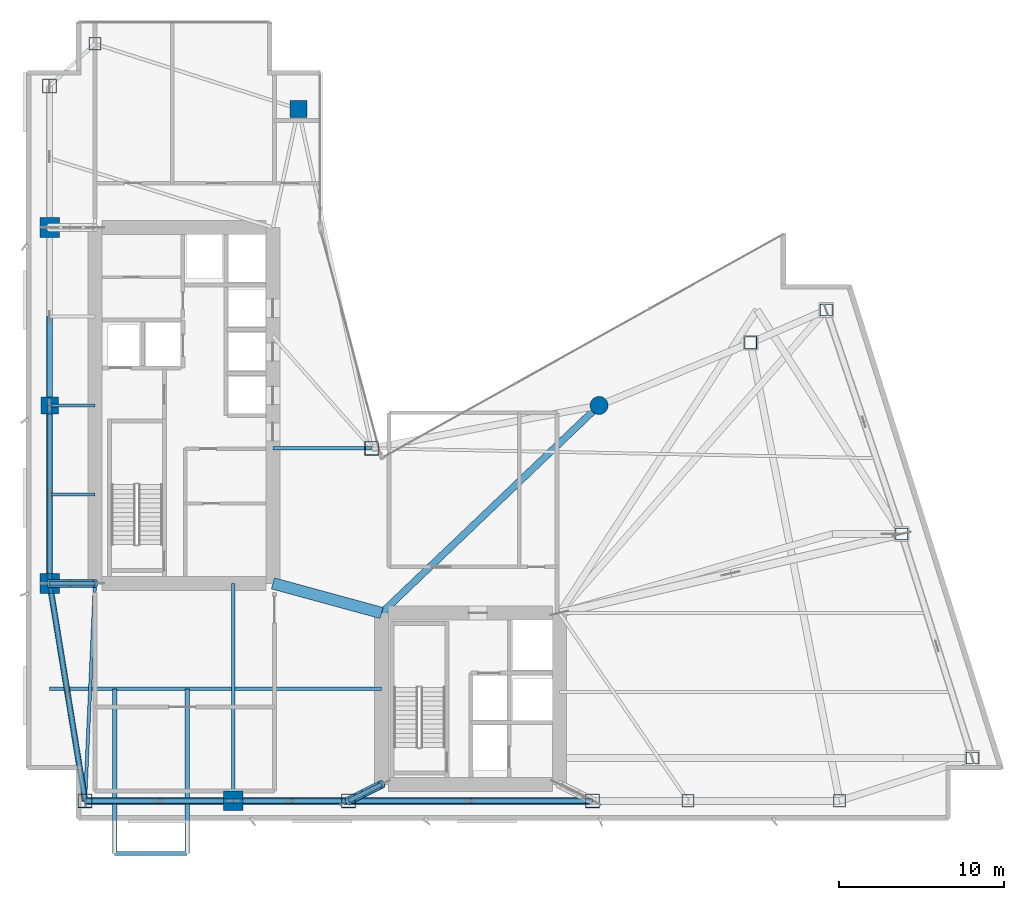
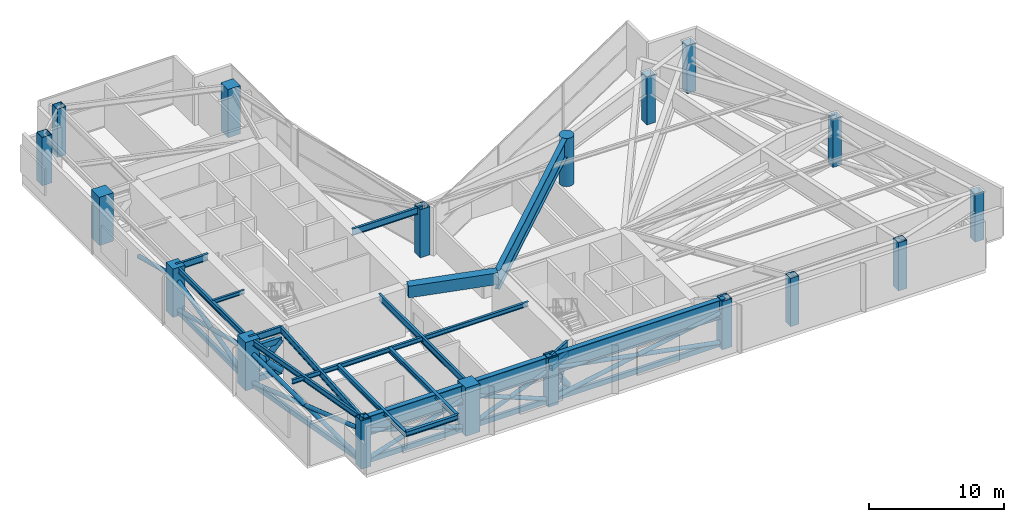
# One storey, part 1 of 17: 31 members, 18 beams, 18 columns.
"""IFC4 building model written with IfcOpenShell, lengths in metres."""

from ifc_helpers import new_model, si_unit, direction, frame, origin, origin_2d, place, context, subcontext, project, spatial, rectangle, hollow_rectangle, circle, hollow_circle, i_section, extrude, material, material_profile, profile_set, type_object, element, save


model = new_model("IFC4")

# Units and contexts
model_context = context("Model", 3, precision=1e-05, world=origin(), true_north=direction((0.0, 1.0)))
body_context = subcontext(model_context, "Body", "Model", "MODEL_VIEW")
ifc_project = project(units=[si_unit("LENGTHUNIT", "METRE"), si_unit("AREAUNIT", "SQUARE_METRE"), si_unit("VOLUMEUNIT", "CUBIC_METRE"), si_unit("PLANEANGLEUNIT", "RADIAN"), si_unit("MASSUNIT", "GRAM", prefix="KILO")], contexts=[model_context])

# Site, building, storey
site_placement = place(None, origin())
site = spatial("IfcSite", under=ifc_project, at=site_placement, CompositionType="ELEMENT")
building_placement = place(site_placement, origin())
building = spatial("IfcBuilding", under=site, at=building_placement, Name="Calvorn Quay Hotel", CompositionType="ELEMENT")
storey_placement = place(building_placement, frame((0.0, 0.0, 186.5)))
storey = spatial("IfcBuildingStorey", under=building, at=storey_placement, Name="L46", CompositionType="ELEMENT", Elevation=186.5)

# Columns
ifc_material_1 = material(Name="Concrete C50", Category="concrete")
ifc_material_profile_1 = material_profile(ifc_material_1, rectangle(XDim=1.050048828125, YDim=1.050048828125, at=origin_2d()), Name="RC1050x1050")
ifc_profile_set_1 = profile_set([ifc_material_profile_1], Name="Concrete C50")
column_type_1 = type_object("IfcColumnType", Name="COL-RC-1050", PredefinedType="COLUMN", material=ifc_profile_set_1)
for number, where, z_axis, x_axis, name in (
    (1, (1.449951171875, 27.60009765625, 0.0), (0.0, 0.0, 1.0), (1.0, 0.0, 0.0), "Column C-W3 (L46)"),
    (2, (16.550048828125, 45.60009765625, 0.0), (0.0, 0.0, 1.0), (1.0, 0.0, 0.0), "Column C-IC1 (L46)"),
):
    element("IfcColumn", number, at=place(storey_placement, frame(where, z_axis=z_axis, x_axis=x_axis)), inside=storey, type_object=column_type_1, Name=name, PredefinedType="COLUMN", context=body_context, shape_type="SweptSolid", body=[
        extrude(rectangle(XDim=1.050048828125, YDim=1.050048828125, at=origin_2d()), origin(), (0.0, 0.0, 1.0), 4.35009765625),
    ])
ifc_material_2 = material(Name="Concrete C50", Category="concrete")
ifc_material_profile_2 = material_profile(ifc_material_2, rectangle(XDim=1.199951171875, YDim=1.199951171875, at=origin_2d()), Name="RC1200x1200")
ifc_profile_set_2 = profile_set([ifc_material_profile_2], Name="Concrete C50")
column_type_2 = type_object("IfcColumnType", Name="COL-RC-1200", PredefinedType="COLUMN", material=ifc_profile_set_2)
for number, where, z_axis, x_axis, name in (
    (3, (1.449951171875, 16.800048828125, 0.0), (0.0, 0.0, 1.0), (1.0, 0.0, 0.0), "Column C-W2 (L46)"),
    (4, (1.449951171875, 38.39990234375, 0.0), (0.0, 0.0, 1.0), (1.0, 0.0, 0.0), "Column C-W4 (L46)"),
    (5, (12.60009765625, 3.60009765625, 0.0), (0.0, 0.0, 1.0), (1.0, 0.0, 0.0), "Column C-S1 (L46)"),
):
    element("IfcColumn", number, at=place(storey_placement, frame(where, z_axis=z_axis, x_axis=x_axis)), inside=storey, type_object=column_type_2, Name=name, PredefinedType="COLUMN", context=body_context, shape_type="SweptSolid", body=[
        extrude(rectangle(XDim=1.199951171875, YDim=1.199951171875, at=origin_2d()), origin(), (0.0, 0.0, 1.0), 4.35009765625),
    ])
ifc_material_3 = material(Name="Concrete C50", Category="concrete")
ifc_material_profile_3 = material_profile(ifc_material_3, circle(Radius=0.550048828125, at=origin_2d()), Name="RCD1100")
ifc_profile_set_3 = profile_set([ifc_material_profile_3], Name="Concrete C50")
column_type_3 = type_object("IfcColumnType", Name="COL-RC-D1100", PredefinedType="COLUMN", material=ifc_profile_set_3)
column_placement = place(storey_placement, frame((34.800048828125, 27.60009765625, 0.0), z_axis=(0.0, 0.0, 1.0), x_axis=(1.0, 0.0, 0.0)))
element("IfcColumn", 6, at=column_placement, inside=storey, type_object=column_type_3, Name="Column C-NC1 (L46)", PredefinedType="COLUMN", context=body_context, shape_type="SweptSolid", body=[
    extrude(circle(Radius=0.550048828125, at=origin_2d()), origin(), (0.0, 0.0, 1.0), 4.35009765625),
])
ifc_material_4 = material(Name="Steel Q390GJC", Category="steel")
ifc_material_profile_4 = material_profile(ifc_material_4, hollow_rectangle(XDim=0.85009765625, YDim=0.85009765625, WallThickness=0.035888671875, at=origin_2d()), Name="BOX850x850x36")
ifc_profile_set_4 = profile_set([ifc_material_profile_4], Name="Steel Q390GJC")
column_type_4 = type_object("IfcColumnType", Name="COL-STL-Z2", PredefinedType="COLUMN", material=ifc_profile_set_4)
for number, where, z_axis, x_axis, name in (
    (7, (3.60009765625, 3.60009765625, 0.0), (0.0, 0.0, 1.0), (1.0, 0.0, 0.0), "Column C-W1 (L46)"),
    (8, (1.449951171875, 47.0, 0.0), (0.0, 0.0, 1.0), (1.0, 0.0, 0.0), "Column C-W5 (L46)"),
    (9, (21.0, 25.0, 0.0), (0.0, 0.0, 1.0), (1.0, 0.0, 0.0), "Column C-IC2 (L46)"),
    (10, (19.60009765625, 3.60009765625, 0.0), (0.0, 0.0, 1.0), (1.0, 0.0, 0.0), "Column C-S2 (L46)"),
    (11, (34.39990234375, 3.60009765625, 0.0), (0.0, 0.0, 1.0), (1.0, 0.0, 0.0), "Column C-S3 (L46)"),
):
    element("IfcColumn", number, at=place(storey_placement, frame(where, z_axis=z_axis, x_axis=x_axis)), inside=storey, type_object=column_type_4, Name=name, PredefinedType="COLUMN", context=body_context, shape_type="SweptSolid", body=[
        extrude(hollow_rectangle(XDim=0.85009765625, YDim=0.85009765625, WallThickness=0.035888671875, at=origin_2d()), origin(), (0.0, 0.0, 1.0), 4.35009765625),
    ])
ifc_material_5 = material(Name="Steel Q390GJC", Category="steel")
ifc_material_profile_5 = material_profile(ifc_material_5, hollow_rectangle(XDim=0.75, YDim=0.75, WallThickness=0.031982421875, at=origin_2d()), Name="BOX750x750x32")
ifc_profile_set_5 = profile_set([ifc_material_profile_5], Name="Steel Q390GJC")
column_type_5 = type_object("IfcColumnType", Name="COL-STL-Z3", PredefinedType="COLUMN", material=ifc_profile_set_5)
for number, where, z_axis, x_axis, name in (
    (12, (4.199951171875, 49.550048828125, 0.0), (0.0, 0.0, 1.0), (1.0, 0.0, 0.0), "Column C-NW1 (L46)"),
    (13, (40.199951171875, 3.60009765625, 0.0), (0.0, 0.0, 1.0), (1.0, 0.0, 0.0), "Column C-S4 (L46)"),
    (14, (49.39990234375, 3.60009765625, 0.0), (0.0, 0.0, 1.0), (1.0, 0.0, 0.0), "Column C-S5 (L46)"),
    (15, (44.0, 31.39990234375, 0.0), (0.0, 0.0, 1.0), (1.0, 0.0, 0.0), "Column C-NC2 (L46)"),
    (16, (57.4609375, 6.199951171875, 0.0), (0.0, 0.0, 1.0), (1.0, 0.0, 0.0), "Column C-ET1 (L46)"),
    (17, (53.176025390625, 19.800048828125, 0.0), (0.0, 0.0, 1.0), (1.0, 0.0, 0.0), "Column C-ET2 (L46)"),
    (18, (48.591064453125, 33.39990234375, 0.0), (0.0, 0.0, 1.0), (1.0, 0.0, 0.0), "Column C-ET3 (L46)"),
):
    element("IfcColumn", number, at=place(storey_placement, frame(where, z_axis=z_axis, x_axis=x_axis)), inside=storey, type_object=column_type_5, Name=name, PredefinedType="COLUMN", context=body_context, shape_type="SweptSolid", body=[
        extrude(hollow_rectangle(XDim=0.75, YDim=0.75, WallThickness=0.031982421875, at=origin_2d()), origin(), (0.0, 0.0, 1.0), 4.35009765625),
    ])

# Beams
ifc_material_6 = material(Name="Steel Q355B", Category="steel")
ifc_material_profile_6 = material_profile(ifc_material_6, i_section(OverallWidth=0.25, OverallDepth=0.449951171875, WebThickness=0.011962890625, FlangeThickness=0.01611328125, FilletRadius=0.01611328125, at=origin_2d()), Name="HN450x250x12x16")
ifc_profile_set_6 = profile_set([ifc_material_profile_6], Name="Steel Q355B")
beam_type_1 = type_object("IfcBeamType", Name="BM-CANT-BALC", PredefinedType="BEAM", material=ifc_profile_set_6)
for number, where, z_axis, x_axis, name in (
    (19, (5.39990234375, 10.39990234375, 4.125), (0.0, -1.0, 0.0), (1.0, 0.0, 0.0), "Cantilever Balcony Beam BCB-L47-1A"),
    (20, (9.800048828125, 10.39990234375, 4.125), (0.0, -1.0, 0.0), (1.0, 0.0, 0.0), "Cantilever Balcony Beam BCB-L47-1B"),
):
    element("IfcBeam", number, at=place(storey_placement, frame(where, z_axis=z_axis, x_axis=x_axis)), inside=storey, type_object=beam_type_1, Name=name, PredefinedType="BEAM", context=body_context, shape_type="SweptSolid", body=[
        extrude(i_section(OverallWidth=0.25, OverallDepth=0.449951171875, WebThickness=0.011962890625, FlangeThickness=0.01611328125, FilletRadius=0.01611328125, at=origin_2d()), origin(), (0.0, 0.0, 1.0), 9.989990234375),
    ])
beam_1_placement = place(storey_placement, frame((5.39990234375, 0.409912109375, 4.125), z_axis=(1.0, 0.0, 0.0), x_axis=(0.0, 1.0, 0.0)))
element("IfcBeam", 21, at=beam_1_placement, inside=storey, type_object=beam_type_1, Name="Beam BCBO-L47-1", PredefinedType="BEAM", context=body_context, shape_type="SweptSolid", body=[
    extrude(i_section(OverallWidth=0.25, OverallDepth=0.449951171875, WebThickness=0.011962890625, FlangeThickness=0.01611328125, FilletRadius=0.01611328125, at=origin_2d()), origin(), (0.0, 0.0, 1.0), 4.400146484375),
])
ifc_material_7 = material(Name="Steel Q355B", Category="steel")
ifc_material_profile_7 = material_profile(ifc_material_7, i_section(OverallWidth=0.199951171875, OverallDepth=0.60009765625, WebThickness=0.010986328125, FlangeThickness=0.01708984375, FilletRadius=0.01806640625, at=origin_2d()), Name="HN600x200x11x17")
ifc_profile_set_7 = profile_set([ifc_material_profile_7], Name="Steel Q355B")
beam_type_2 = type_object("IfcBeamType", Name="BM-GIRD-TYP", PredefinedType="BEAM", material=ifc_profile_set_7)
beam_2_placement = place(storey_placement, frame((3.60009765625, 3.60009765625, 4.050048828125), z_axis=(0.045396765494, 0.998969035397, 0.0), x_axis=(-0.998969035397, 0.045396765494, 0.0)))
element("IfcBeam", 22, at=beam_2_placement, inside=storey, type_object=beam_type_2, Name="Beam BG-L46-W0", PredefinedType="BEAM", context=body_context, shape_type="SweptSolid", body=[
    extrude(i_section(OverallWidth=0.199951171875, OverallDepth=0.60009765625, WebThickness=0.010986328125, FlangeThickness=0.01708984375, FilletRadius=0.01806640625, at=origin_2d()), origin(), (0.0, 0.0, 1.0), 13.213623046875),
])
for number, where, z_axis, x_axis, name in (
    (23, (1.449951171875, 16.800048828125, 4.050048828125), (1.0, 0.0, 0.0), (0.0, 1.0, 0.0), "Beam BG-L46-W1"),
    (24, (1.449951171875, 27.60009765625, 4.050048828125), (1.0, 0.0, 0.0), (0.0, 1.0, 0.0), "Beam BG-L46-W2"),
):
    element("IfcBeam", number, at=place(storey_placement, frame(where, z_axis=z_axis, x_axis=x_axis)), inside=storey, type_object=beam_type_2, Name=name, PredefinedType="BEAM", context=body_context, shape_type="SweptSolid", body=[
        extrude(i_section(OverallWidth=0.199951171875, OverallDepth=0.60009765625, WebThickness=0.010986328125, FlangeThickness=0.01708984375, FilletRadius=0.01806640625, at=origin_2d()), origin(), (0.0, 0.0, 1.0), 2.75),
    ])
beam_3_placement = place(storey_placement, frame((21.0, 25.0, 4.050048828125), z_axis=(-1.0, 0.0, 0.0), x_axis=(0.0, -1.0, 0.0)))
element("IfcBeam", 25, at=beam_3_placement, inside=storey, type_object=beam_type_2, Name="Beam BG-L46-W7", PredefinedType="BEAM", context=body_context, shape_type="SweptSolid", body=[
    extrude(i_section(OverallWidth=0.199951171875, OverallDepth=0.60009765625, WebThickness=0.010986328125, FlangeThickness=0.01708984375, FilletRadius=0.01806640625, at=origin_2d()), origin(), (0.0, 0.0, 1.0), 6.0),
])
beam_4_placement = place(storey_placement, frame((12.60009765625, 3.60009765625, 4.050048828125), z_axis=(0.0, 1.0, 0.0), x_axis=(-1.0, 0.0, 0.0)))
element("IfcBeam", 26, at=beam_4_placement, inside=storey, type_object=beam_type_2, Name="Beam BG-L46-S1", PredefinedType="BEAM", context=body_context, shape_type="SweptSolid", body=[
    extrude(i_section(OverallWidth=0.199951171875, OverallDepth=0.60009765625, WebThickness=0.010986328125, FlangeThickness=0.01708984375, FilletRadius=0.01806640625, at=origin_2d()), origin(), (0.0, 0.0, 1.0), 13.199951171875),
])
beam_5_placement = place(storey_placement, frame((19.60009765625, 3.60009765625, 4.050048828125), z_axis=(0.894427191, 0.4472135955, 0.0), x_axis=(-0.4472135955, 0.894427191, 0.0)))
element("IfcBeam", 27, at=beam_5_placement, inside=storey, type_object=beam_type_2, Name="Beam BG-L46-S2", PredefinedType="BEAM", context=body_context, shape_type="SweptSolid", body=[
    extrude(i_section(OverallWidth=0.199951171875, OverallDepth=0.60009765625, WebThickness=0.010986328125, FlangeThickness=0.01708984375, FilletRadius=0.01806640625, at=origin_2d()), origin(), (0.0, 0.0, 1.0), 2.236083984375),
])
ifc_material_8 = material(Name="Steel Q355B", Category="steel")
ifc_material_profile_8 = material_profile(ifc_material_8, i_section(OverallWidth=0.175048828125, OverallDepth=0.35009765625, WebThickness=0.007080078125, FlangeThickness=0.010986328125, FilletRadius=0.013916015625, at=origin_2d()), Name="HN350x175x7x11")
ifc_profile_set_8 = profile_set([ifc_material_profile_8], Name="Steel Q355B")
beam_type_3 = type_object("IfcBeamType", Name="BM-JOIST-SEC", PredefinedType="JOIST", material=ifc_profile_set_8)
beam_6_placement = place(storey_placement, frame((1.449951171875, 22.199951171875, 4.175048828125), z_axis=(1.0, 0.0, 0.0), x_axis=(0.0, 1.0, 0.0)))
element("IfcBeam", 28, at=beam_6_placement, inside=storey, type_object=beam_type_3, Name="Beam BJ-L46-W3", PredefinedType="JOIST", context=body_context, shape_type="SweptSolid", body=[
    extrude(i_section(OverallWidth=0.175048828125, OverallDepth=0.35009765625, WebThickness=0.007080078125, FlangeThickness=0.010986328125, FilletRadius=0.013916015625, at=origin_2d()), origin(), (0.0, 0.0, 1.0), 2.75),
])
ifc_material_9 = material(Name="Steel Q355B", Category="steel")
ifc_material_profile_9 = material_profile(ifc_material_9, i_section(OverallWidth=0.199951171875, OverallDepth=0.39990234375, WebThickness=0.008056640625, FlangeThickness=0.012939453125, FilletRadius=0.01611328125, at=origin_2d()), Name="HN400x200x8x13")
ifc_profile_set_9 = profile_set([ifc_material_profile_9], Name="Steel Q355B")
beam_type_4 = type_object("IfcBeamType", Name="BM-JOIST-TYP", PredefinedType="JOIST", material=ifc_profile_set_9)
beam_7_placement = place(storey_placement, frame((1.449951171875, 10.39990234375, 4.14990234375), z_axis=(1.0, 0.0, 0.0), x_axis=(0.0, 1.0, 0.0)))
element("IfcBeam", 29, at=beam_7_placement, inside=storey, type_object=beam_type_4, Name="Beam BJ-L46-W1", PredefinedType="JOIST", context=body_context, shape_type="SweptSolid", body=[
    extrude(i_section(OverallWidth=0.199951171875, OverallDepth=0.39990234375, WebThickness=0.008056640625, FlangeThickness=0.012939453125, FilletRadius=0.01611328125, at=origin_2d()), origin(), (0.0, 0.0, 1.0), 20.150146484375),
])
ifc_material_10 = material(Name="Concrete C50", Category="concrete")
ifc_material_profile_10 = material_profile(ifc_material_10, rectangle(XDim=0.699951171875, YDim=1.050048828125, at=origin_2d()), Name="RCB700x1050")
ifc_profile_set_10 = profile_set([ifc_material_profile_10], Name="Concrete C50")
beam_type_5 = type_object("IfcBeamType", Name="BM-RC-LINK-700x1050", PredefinedType="BEAM", material=ifc_profile_set_10)
beam_8_placement = place(storey_placement, frame((15.0, 16.800048828125, 3.824951171875), z_axis=(0.964762997686, -0.263120425462, 0.0), x_axis=(0.263120425462, 0.964762997686, 0.0)))
element("IfcBeam", 30, at=beam_8_placement, inside=storey, type_object=beam_type_5, Name="Beam BCL-L46-01", PredefinedType="BEAM", context=body_context, shape_type="SweptSolid", body=[
    extrude(rectangle(XDim=0.699951171875, YDim=1.050048828125, at=origin_2d()), origin(), (0.0, 0.0, 1.0), 6.841064453125),
])
ifc_material_11 = material(Name="Steel Q355B", Category="steel")
ifc_material_profile_11 = material_profile(ifc_material_11, i_section(OverallWidth=0.199951171875, OverallDepth=0.5, WebThickness=0.010009765625, FlangeThickness=0.01611328125, FilletRadius=0.01611328125, at=origin_2d()), Name="HN500x200x10x16")
ifc_profile_set_11 = profile_set([ifc_material_profile_11], Name="Steel Q355B")
beam_type_6 = type_object("IfcBeamType", Name="BM-SPANDREL-Z1", PredefinedType="SPANDREL", material=ifc_profile_set_11)
beam_9_placement = place(storey_placement, frame((3.60009765625, 3.60009765625, 4.10009765625), z_axis=(-0.16077155054, 0.986991645627, 0.0), x_axis=(-0.986991645627, -0.16077155054, 0.0)))
element("IfcBeam", 31, at=beam_9_placement, inside=storey, type_object=beam_type_6, Name="Beam BSP-L46-W1", PredefinedType="SPANDREL", context=body_context, shape_type="SweptSolid", body=[
    extrude(i_section(OverallWidth=0.199951171875, OverallDepth=0.5, WebThickness=0.010009765625, FlangeThickness=0.01611328125, FilletRadius=0.01611328125, at=origin_2d()), origin(), (0.0, 0.0, 1.0), 13.3740234375),
])
beam_10_placement = place(storey_placement, frame((1.449951171875, 16.800048828125, 4.10009765625), z_axis=(0.0, 1.0, 0.0), x_axis=(-1.0, 0.0, 0.0)))
element("IfcBeam", 32, at=beam_10_placement, inside=storey, type_object=beam_type_6, Name="Beam BSP-L46-W2", PredefinedType="SPANDREL", context=body_context, shape_type="SweptSolid", body=[
    extrude(i_section(OverallWidth=0.199951171875, OverallDepth=0.5, WebThickness=0.010009765625, FlangeThickness=0.01611328125, FilletRadius=0.01611328125, at=origin_2d()), origin(), (0.0, 0.0, 1.0), 10.800048828125),
])
ifc_material_12 = material(Name="Steel Q420GJC", Category="steel")
ifc_material_profile_12 = material_profile(ifc_material_12, i_section(OverallWidth=0.419921875, OverallDepth=1.699951171875, WebThickness=0.02392578125, FlangeThickness=0.0419921875, FilletRadius=0.02392578125, at=origin_2d()), Name="HN1700x420x24x42")
ifc_profile_set_12 = profile_set([ifc_material_profile_12], Name="Steel Q420GJC")
beam_type_7 = type_object("IfcBeamType", Name="BM-XFER-SAWTOOTH", PredefinedType="BEAM", material=ifc_profile_set_12)
beam_11_placement = place(storey_placement, frame((3.60009765625, 3.60009765625, 3.5), z_axis=(1.0, 0.0, 0.0), x_axis=(0.0, 1.0, 0.0)))
element("IfcBeam", 33, at=beam_11_placement, inside=storey, type_object=beam_type_7, Name="Beam BSP-L46-S1", PredefinedType="BEAM", context=body_context, shape_type="SweptSolid", body=[
    extrude(i_section(OverallWidth=0.419921875, OverallDepth=1.699951171875, WebThickness=0.02392578125, FlangeThickness=0.0419921875, FilletRadius=0.02392578125, at=origin_2d()), origin(), (0.0, 0.0, 1.0), 9.0),
])
beam_12_placement = place(storey_placement, frame((12.60009765625, 3.60009765625, 3.5), z_axis=(1.0, 0.0, 0.0), x_axis=(0.0, 1.0, 0.0)))
element("IfcBeam", 34, at=beam_12_placement, inside=storey, type_object=beam_type_7, Name="Beam BSP-L46-S2", PredefinedType="BEAM", context=body_context, shape_type="SweptSolid", body=[
    extrude(i_section(OverallWidth=0.419921875, OverallDepth=1.699951171875, WebThickness=0.02392578125, FlangeThickness=0.0419921875, FilletRadius=0.02392578125, at=origin_2d()), origin(), (0.0, 0.0, 1.0), 7.0),
])
beam_13_placement = place(storey_placement, frame((19.60009765625, 3.60009765625, 3.5), z_axis=(1.0, 0.0, 0.0), x_axis=(0.0, 1.0, 0.0)))
element("IfcBeam", 35, at=beam_13_placement, inside=storey, type_object=beam_type_7, Name="Beam BSP-L46-S3", PredefinedType="BEAM", context=body_context, shape_type="SweptSolid", body=[
    extrude(i_section(OverallWidth=0.419921875, OverallDepth=1.699951171875, WebThickness=0.02392578125, FlangeThickness=0.0419921875, FilletRadius=0.02392578125, at=origin_2d()), origin(), (0.0, 0.0, 1.0), 14.7998046875),
])
beam_14_placement = place(storey_placement, frame((21.60009765625, 15.0, 3.5), z_axis=(0.723351595578, 0.690479883252, 0.0), x_axis=(-0.690479883252, 0.723351595578, 0.0)))
element("IfcBeam", 36, at=beam_14_placement, inside=storey, type_object=beam_type_7, Name="Beam BG-L46-E4", PredefinedType="BEAM", context=body_context, shape_type="SweptSolid", body=[
    extrude(i_section(OverallWidth=0.419921875, OverallDepth=1.699951171875, WebThickness=0.02392578125, FlangeThickness=0.0419921875, FilletRadius=0.02392578125, at=origin_2d()), origin(), (0.0, 0.0, 1.0), 18.248291015625),
])

# Members
ifc_material_13 = material(Name="Steel Q390GJC", Category="steel")
ifc_material_profile_13 = material_profile(ifc_material_13, hollow_rectangle(XDim=0.25, YDim=0.449951171875, WallThickness=0.01611328125, at=origin_2d()), Name="RHS450x250x16")
ifc_profile_set_13 = profile_set([ifc_material_profile_13], Name="Steel Q390GJC")
member_type_1 = type_object("IfcMemberType", Name="MEM-BELT-CHORD", PredefinedType="CHORD", material=ifc_profile_set_13)
member_1_placement = place(storey_placement, frame((3.60009765625, 3.60009765625, 0.35009765625), z_axis=(-0.16077155054, 0.986991645627, 0.0), x_axis=(-0.986991645627, -0.16077155054, 0.0)))
element("IfcMember", 37, at=member_1_placement, inside=storey, type_object=member_type_1, Name="Belt Truss Chord L46-BW1", PredefinedType="CHORD", context=body_context, shape_type="SweptSolid", body=[
    extrude(hollow_rectangle(XDim=0.25, YDim=0.449951171875, WallThickness=0.01611328125, at=origin_2d()), origin(), (0.0, 0.0, 1.0), 13.3740234375),
])
member_2_placement = place(storey_placement, frame((1.449951171875, 16.800048828125, 0.35009765625), z_axis=(0.0, 1.0, 0.0), x_axis=(-1.0, 0.0, 0.0)))
element("IfcMember", 38, at=member_2_placement, inside=storey, type_object=member_type_1, Name="Belt Truss Chord L46-BW2", PredefinedType="CHORD", context=body_context, shape_type="SweptSolid", body=[
    extrude(hollow_rectangle(XDim=0.25, YDim=0.449951171875, WallThickness=0.01611328125, at=origin_2d()), origin(), (0.0, 0.0, 1.0), 10.800048828125),
])
member_3_placement = place(storey_placement, frame((3.60009765625, 3.60009765625, 0.35009765625), z_axis=(1.0, 0.0, 0.0), x_axis=(0.0, 1.0, 0.0)))
element("IfcMember", 39, at=member_3_placement, inside=storey, type_object=member_type_1, Name="Belt Truss Chord L46-BS1", PredefinedType="CHORD", context=body_context, shape_type="SweptSolid", body=[
    extrude(hollow_rectangle(XDim=0.25, YDim=0.449951171875, WallThickness=0.01611328125, at=origin_2d()), origin(), (0.0, 0.0, 1.0), 9.0),
])
member_4_placement = place(storey_placement, frame((12.60009765625, 3.60009765625, 0.35009765625), z_axis=(1.0, 0.0, 0.0), x_axis=(0.0, 1.0, 0.0)))
element("IfcMember", 40, at=member_4_placement, inside=storey, type_object=member_type_1, Name="Belt Truss Chord L46-BS2", PredefinedType="CHORD", context=body_context, shape_type="SweptSolid", body=[
    extrude(hollow_rectangle(XDim=0.25, YDim=0.449951171875, WallThickness=0.01611328125, at=origin_2d()), origin(), (0.0, 0.0, 1.0), 7.0),
])
member_5_placement = place(storey_placement, frame((19.60009765625, 3.60009765625, 0.35009765625), z_axis=(1.0, 0.0, 0.0), x_axis=(0.0, 1.0, 0.0)))
element("IfcMember", 41, at=member_5_placement, inside=storey, type_object=member_type_1, Name="Belt Truss Chord L46-BS3", PredefinedType="CHORD", context=body_context, shape_type="SweptSolid", body=[
    extrude(hollow_rectangle(XDim=0.25, YDim=0.449951171875, WallThickness=0.01611328125, at=origin_2d()), origin(), (0.0, 0.0, 1.0), 14.7998046875),
])
ifc_material_14 = material(Name="Steel Q390GJC", Category="steel")
ifc_material_profile_14 = material_profile(ifc_material_14, hollow_circle(Radius=0.177978515625, WallThickness=0.013916015625, at=origin_2d()), Name="CHS356x14")
ifc_profile_set_14 = profile_set([ifc_material_profile_14], Name="Steel Q390GJC")
member_type_2 = type_object("IfcMemberType", Name="MEM-BELT-DIAG", PredefinedType="BRACE", material=ifc_profile_set_14)
member_6_placement = place(storey_placement, frame((3.60009765625, 3.60009765625, 0.35009765625), z_axis=(-0.157360244038, 0.966049314684, 0.204906015514), x_axis=(-0.986991645627, -0.16077155054, 0.0)))
element("IfcMember", 42, at=member_6_placement, inside=storey, type_object=member_type_2, Name="Belt Truss Continuous Brace L46-BW1A", PredefinedType="BRACE", context=body_context, shape_type="SweptSolid", body=[
    extrude(hollow_circle(Radius=0.177978515625, WallThickness=0.013916015625, at=origin_2d()), origin(), (0.0, 0.0, 1.0), 13.663818359375),
])
member_7_placement = place(storey_placement, frame((3.60009765625, 3.60009765625, 3.14990234375), z_axis=(-0.157380385683, 0.966045405581, -0.204908976274), x_axis=(-0.986988276812, -0.160792230647, 0.0)))
element("IfcMember", 43, at=member_7_placement, inside=storey, type_object=member_type_2, Name="Belt Truss Split Brace B1 L46-BW1", PredefinedType="BRACE", context=body_context, shape_type="SweptSolid", body=[
    extrude(hollow_circle(Radius=0.177978515625, WallThickness=0.013916015625, at=origin_2d()), origin(), (0.0, 0.0, 1.0), 6.831787109375),
])
member_8_placement = place(storey_placement, frame((2.52490234375, 10.199951171875, 1.75), z_axis=(-0.157340102908, 0.96605322326, -0.204903054752), x_axis=(-0.986995013907, -0.160750870986, 0.0)))
element("IfcMember", 44, at=member_8_placement, inside=storey, type_object=member_type_2, Name="Belt Truss Split Brace B2 L46-BW1", PredefinedType="BRACE", context=body_context, shape_type="SweptSolid", body=[
    extrude(hollow_circle(Radius=0.177978515625, WallThickness=0.013916015625, at=origin_2d()), origin(), (0.0, 0.0, 1.0), 6.83203125),
])
member_9_placement = place(storey_placement, frame((1.449951171875, 16.800048828125, 0.35009765625), z_axis=(0.0, 0.968001426323, 0.250944692386), x_axis=(-1.0, 0.0, 0.0)))
element("IfcMember", 45, at=member_9_placement, inside=storey, type_object=member_type_2, Name="Belt Truss Continuous Brace L46-BW2A", PredefinedType="BRACE", context=body_context, shape_type="SweptSolid", body=[
    extrude(hollow_circle(Radius=0.177978515625, WallThickness=0.013916015625, at=origin_2d()), origin(), (0.0, 0.0, 1.0), 11.156982421875),
])
member_10_placement = place(storey_placement, frame((1.449951171875, 16.800048828125, 3.14990234375), z_axis=(0.0, 0.968000048288, -0.250950007997), x_axis=(-1.0, 0.0, 0.0)))
element("IfcMember", 46, at=member_10_placement, inside=storey, type_object=member_type_2, Name="Belt Truss Split Brace B1 L46-BW2", PredefinedType="BRACE", context=body_context, shape_type="SweptSolid", body=[
    extrude(hollow_circle(Radius=0.177978515625, WallThickness=0.013916015625, at=origin_2d()), origin(), (0.0, 0.0, 1.0), 5.578369140625),
])
member_11_placement = place(storey_placement, frame((1.449951171875, 22.199951171875, 1.75), z_axis=(0.0, 0.96800280427, -0.250939376992), x_axis=(-1.0, 0.0, 0.0)))
element("IfcMember", 47, at=member_11_placement, inside=storey, type_object=member_type_2, Name="Belt Truss Split Brace B2 L46-BW2", PredefinedType="BRACE", context=body_context, shape_type="SweptSolid", body=[
    extrude(hollow_circle(Radius=0.177978515625, WallThickness=0.013916015625, at=origin_2d()), origin(), (0.0, 0.0, 1.0), 5.57861328125),
])
member_12_placement = place(storey_placement, frame((1.449951171875, 27.60009765625, 3.14990234375), z_axis=(0.0, 0.968000048288, -0.250950007997), x_axis=(-1.0, 0.0, 0.0)))
element("IfcMember", 48, at=member_12_placement, inside=storey, type_object=member_type_2, Name="Belt Truss Split Brace B1 L46-BW3", PredefinedType="BRACE", context=body_context, shape_type="SweptSolid", body=[
    extrude(hollow_circle(Radius=0.177978515625, WallThickness=0.013916015625, at=origin_2d()), origin(), (0.0, 0.0, 1.0), 5.578369140625),
])
member_13_placement = place(storey_placement, frame((3.60009765625, 3.60009765625, 0.35009765625), z_axis=(0.95486265402, 0.0, 0.297047659405), x_axis=(0.0, 1.0, 0.0)))
element("IfcMember", 49, at=member_13_placement, inside=storey, type_object=member_type_2, Name="Belt Truss Continuous Brace L46-BS1A", PredefinedType="BRACE", context=body_context, shape_type="SweptSolid", body=[
    extrude(hollow_circle(Radius=0.177978515625, WallThickness=0.013916015625, at=origin_2d()), origin(), (0.0, 0.0, 1.0), 9.425537109375),
])
for number, where, z_axis, x_axis, name in (
    (50, (3.60009765625, 3.60009765625, 3.14990234375), (0.95486265402, 0.0, -0.297047659405), (0.0, 1.0, 0.0), "Belt Truss Split Brace B1 L46-BS1"),
    (51, (8.10009765625, 3.60009765625, 1.75), (0.95486265402, 0.0, -0.297047659405), (0.0, 1.0, 0.0), "Belt Truss Split Brace B2 L46-BS1"),
):
    element("IfcMember", number, at=place(storey_placement, frame(where, z_axis=z_axis, x_axis=x_axis)), inside=storey, type_object=member_type_2, Name=name, PredefinedType="BRACE", context=body_context, shape_type="SweptSolid", body=[
        extrude(hollow_circle(Radius=0.177978515625, WallThickness=0.013916015625, at=origin_2d()), origin(), (0.0, 0.0, 1.0), 4.712646484375),
    ])
member_14_placement = place(storey_placement, frame((12.60009765625, 3.60009765625, 0.35009765625), z_axis=(0.92848562386, 0.0, 0.371368343137), x_axis=(0.0, 1.0, 0.0)))
element("IfcMember", 52, at=member_14_placement, inside=storey, type_object=member_type_2, Name="Belt Truss Continuous Brace L46-BS2A", PredefinedType="BRACE", context=body_context, shape_type="SweptSolid", body=[
    extrude(hollow_circle(Radius=0.177978515625, WallThickness=0.013916015625, at=origin_2d()), origin(), (0.0, 0.0, 1.0), 7.5390625),
])
for number, where, z_axis, x_axis, name in (
    (53, (12.60009765625, 3.60009765625, 3.14990234375), (0.92848562386, 0.0, -0.371368343137), (0.0, 1.0, 0.0), "Belt Truss Split Brace B1 L46-BS2"),
    (54, (16.10009765625, 3.60009765625, 1.75), (0.92848562386, 0.0, -0.371368343137), (0.0, 1.0, 0.0), "Belt Truss Split Brace B2 L46-BS2"),
):
    element("IfcMember", number, at=place(storey_placement, frame(where, z_axis=z_axis, x_axis=x_axis)), inside=storey, type_object=member_type_2, Name=name, PredefinedType="BRACE", context=body_context, shape_type="SweptSolid", body=[
        extrude(hollow_circle(Radius=0.177978515625, WallThickness=0.013916015625, at=origin_2d()), origin(), (0.0, 0.0, 1.0), 3.76953125),
    ])
member_15_placement = place(storey_placement, frame((19.60009765625, 3.60009765625, 0.35009765625), z_axis=(0.982572166, 0.0, 0.185881517646), x_axis=(0.0, 1.0, 0.0)))
element("IfcMember", 55, at=member_15_placement, inside=storey, type_object=member_type_2, Name="Belt Truss Continuous Brace L46-BS3A", PredefinedType="BRACE", context=body_context, shape_type="SweptSolid", body=[
    extrude(hollow_circle(Radius=0.177978515625, WallThickness=0.013916015625, at=origin_2d()), origin(), (0.0, 0.0, 1.0), 15.062255859375),
])
for number, where, z_axis, x_axis, name in (
    (56, (19.60009765625, 3.60009765625, 3.14990234375), (0.982572166, 0.0, -0.185881517646), (0.0, 1.0, 0.0), "Belt Truss Split Brace B1 L46-BS3"),
    (57, (27.0, 3.60009765625, 1.75), (0.982572166, 0.0, -0.185881517646), (0.0, 1.0, 0.0), "Belt Truss Split Brace B2 L46-BS3"),
):
    element("IfcMember", number, at=place(storey_placement, frame(where, z_axis=z_axis, x_axis=x_axis)), inside=storey, type_object=member_type_2, Name=name, PredefinedType="BRACE", context=body_context, shape_type="SweptSolid", body=[
        extrude(hollow_circle(Radius=0.177978515625, WallThickness=0.013916015625, at=origin_2d()), origin(), (0.0, 0.0, 1.0), 7.53125),
    ])
ifc_material_15 = material(Name="Steel Q390GJC", Category="steel")
ifc_material_profile_15 = material_profile(ifc_material_15, hollow_rectangle(XDim=0.300048828125, YDim=0.5, WallThickness=0.02001953125, at=origin_2d()), Name="RHS500x300x20")
ifc_profile_set_15 = profile_set([ifc_material_profile_15], Name="Steel Q390GJC")
member_type_3 = type_object("IfcMemberType", Name="MEM-OUTRIGGER-CHORD", PredefinedType="CHORD", material=ifc_profile_set_15)
for number, where, z_axis, x_axis, name in (
    (58, (4.199951171875, 16.800048828125, 3.14990234375), (-1.0, 0.0, 0.0), (0.0, -1.0, 0.0), "Outrigger Top Chord L46-OW1"),
    (59, (4.199951171875, 16.800048828125, 0.35009765625), (-1.0, 0.0, 0.0), (0.0, -1.0, 0.0), "Outrigger Bottom Chord L46-OW1"),
):
    element("IfcMember", number, at=place(storey_placement, frame(where, z_axis=z_axis, x_axis=x_axis)), inside=storey, type_object=member_type_3, Name=name, PredefinedType="CHORD", context=body_context, shape_type="SweptSolid", body=[
        extrude(hollow_rectangle(XDim=0.300048828125, YDim=0.5, WallThickness=0.02001953125, at=origin_2d()), origin(), (0.0, 0.0, 1.0), 2.75),
    ])
for number, where, z_axis, x_axis, name in (
    (60, (21.60009765625, 4.60009765625, 3.14990234375), (-0.894427191, -0.4472135955, 0.0), (0.4472135955, -0.894427191, 0.0), "Outrigger Top Chord L46-OE1"),
    (61, (21.60009765625, 4.60009765625, 0.35009765625), (-0.894427191, -0.4472135955, 0.0), (0.4472135955, -0.894427191, 0.0), "Outrigger Bottom Chord L46-OE1"),
):
    element("IfcMember", number, at=place(storey_placement, frame(where, z_axis=z_axis, x_axis=x_axis)), inside=storey, type_object=member_type_3, Name=name, PredefinedType="CHORD", context=body_context, shape_type="SweptSolid", body=[
        extrude(hollow_rectangle(XDim=0.300048828125, YDim=0.5, WallThickness=0.02001953125, at=origin_2d()), origin(), (0.0, 0.0, 1.0), 2.236083984375),
    ])
ifc_material_16 = material(Name="Steel Q390GJC", Category="steel")
ifc_material_profile_16 = material_profile(ifc_material_16, hollow_circle(Radius=0.25, WallThickness=0.02001953125, at=origin_2d()), Name="CHS500x20")
ifc_profile_set_16 = profile_set([ifc_material_profile_16], Name="Steel Q390GJC")
member_type_4 = type_object("IfcMemberType", Name="MEM-OUTRIGGER-DIAG1", PredefinedType="BRACE", material=ifc_profile_set_16)
member_16_placement = place(storey_placement, frame((4.199951171875, 16.800048828125, 0.35009765625), z_axis=(-0.7007328944, 0.0, 0.713423724519), x_axis=(0.0, -1.0, 0.0)))
element("IfcMember", 62, at=member_16_placement, inside=storey, type_object=member_type_4, Name="Outrigger Continuous Diagonal L46-OW1", PredefinedType="BRACE", context=body_context, shape_type="SweptSolid", body=[
    extrude(hollow_circle(Radius=0.25, WallThickness=0.02001953125, at=origin_2d()), origin(), (0.0, 0.0, 1.0), 3.924560546875),
])
for number, where, z_axis, x_axis, name in (
    (63, (4.199951171875, 16.800048828125, 3.14990234375), (-0.7007328944, 0.0, -0.713423724519), (0.0, -1.0, 0.0), "Outrigger Split Diagonal A L46-OW1"),
    (64, (2.824951171875, 16.800048828125, 1.75), (-0.7007328944, 0.0, -0.713423724519), (0.0, -1.0, 0.0), "Outrigger Split Diagonal B L46-OW1"),
):
    element("IfcMember", number, at=place(storey_placement, frame(where, z_axis=z_axis, x_axis=x_axis)), inside=storey, type_object=member_type_4, Name=name, PredefinedType="BRACE", context=body_context, shape_type="SweptSolid", body=[
        extrude(hollow_circle(Radius=0.25, WallThickness=0.02001953125, at=origin_2d()), origin(), (0.0, 0.0, 1.0), 1.962158203125),
    ])
member_17_placement = place(storey_placement, frame((21.60009765625, 4.60009765625, 0.35009765625), z_axis=(-0.558169345139, -0.279084672569, 0.781382574469), x_axis=(0.4472135955, -0.894427191, 0.0)))
element("IfcMember", 65, at=member_17_placement, inside=storey, type_object=member_type_4, Name="Outrigger Continuous Diagonal L46-OE1", PredefinedType="BRACE", context=body_context, shape_type="SweptSolid", body=[
    extrude(hollow_circle(Radius=0.25, WallThickness=0.02001953125, at=origin_2d()), origin(), (0.0, 0.0, 1.0), 3.583251953125),
])
for number, where, z_axis, x_axis, name in (
    (66, (21.60009765625, 4.60009765625, 3.14990234375), (-0.558169345139, -0.279084672569, -0.781382574469), (0.4472135955, -0.894427191, 0.0), "Outrigger Split Diagonal A L46-OE1"),
    (67, (20.60009765625, 4.10009765625, 1.75), (-0.558169345139, -0.279084672569, -0.781382574469), (0.4472135955, -0.894427191, 0.0), "Outrigger Split Diagonal B L46-OE1"),
):
    element("IfcMember", number, at=place(storey_placement, frame(where, z_axis=z_axis, x_axis=x_axis)), inside=storey, type_object=member_type_4, Name=name, PredefinedType="BRACE", context=body_context, shape_type="SweptSolid", body=[
        extrude(hollow_circle(Radius=0.25, WallThickness=0.02001953125, at=origin_2d()), origin(), (0.0, 0.0, 1.0), 1.79150390625),
    ])

save(model, "model.ifc")
